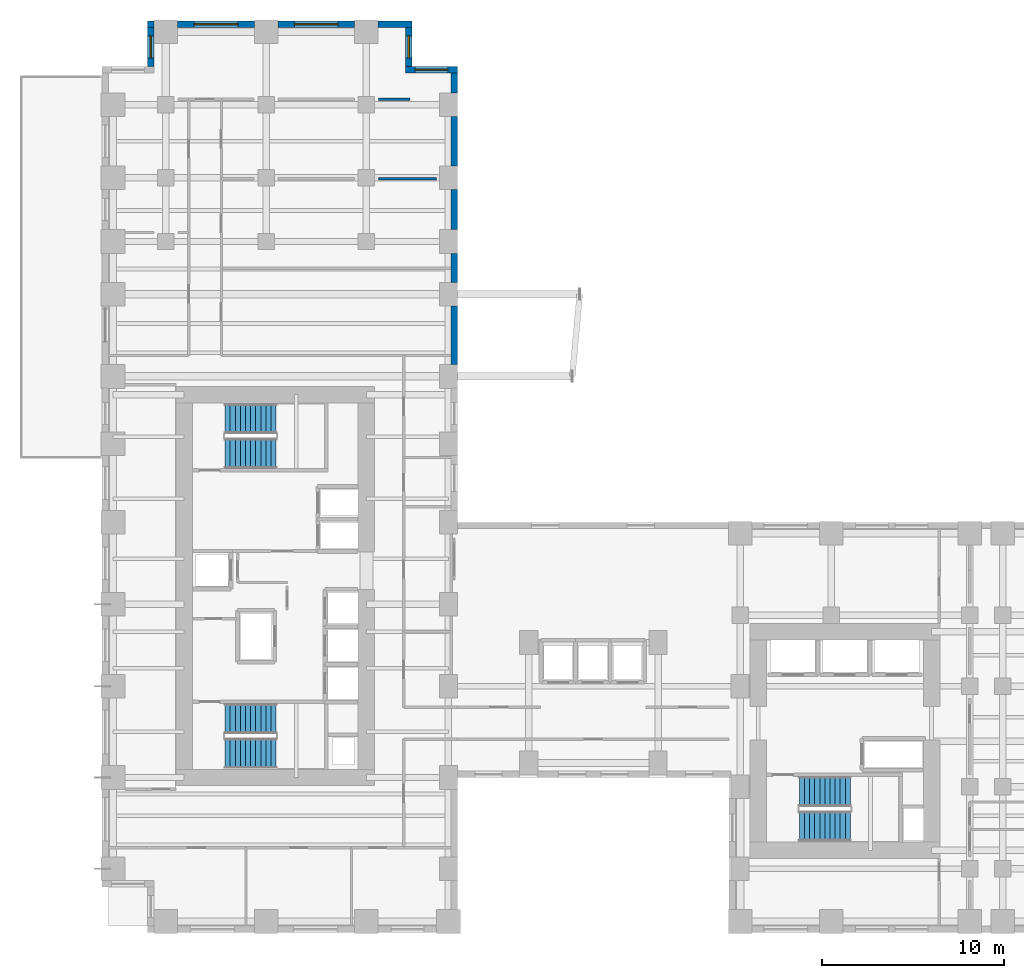
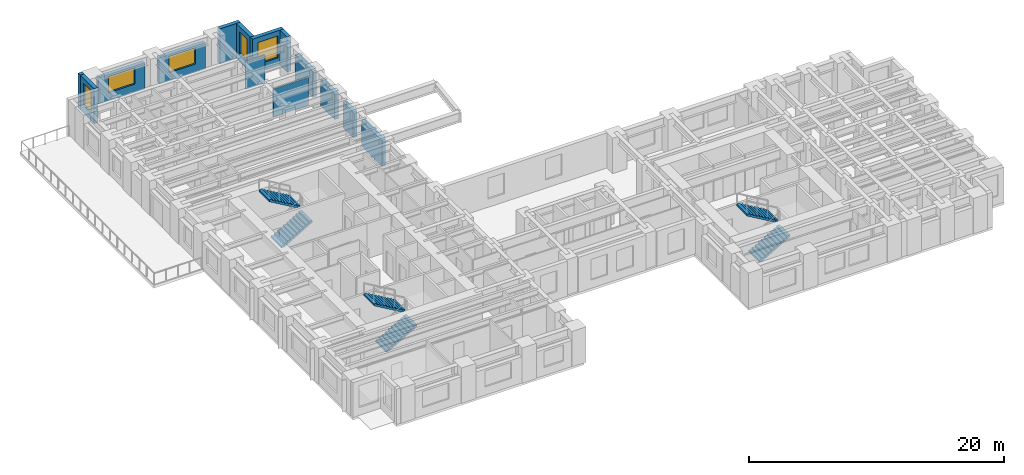
# One storey, part 12 of 15: 14 walls, 6 stair flights, 5 windows, 5 openings, 3 elements without a shape of their own.
"""IFC4 building model written with IfcOpenShell, lengths in metres."""

from ifc_helpers import new_model, si_unit, direction, frame, frame_2d, origin, place, context, subcontext, project, spatial, polyline, rectangle, outline, extrude, source, transform, mapped, material, layer, layer_set, type_object, element, fill, aggregate, save


model = new_model("IFC4")

# Units and contexts
model_context = context("Model", 3, precision=1e-05, world=origin(), true_north=direction((0.0, 1.0)))
body_context = subcontext(model_context, "Body", "Model", "MODEL_VIEW")
ifc_project = project(units=[si_unit("LENGTHUNIT", "METRE"), si_unit("AREAUNIT", "SQUARE_METRE"), si_unit("VOLUMEUNIT", "CUBIC_METRE"), si_unit("PLANEANGLEUNIT", "RADIAN"), si_unit("MASSUNIT", "GRAM", prefix="KILO")], contexts=[model_context])

# Site, building, storey
site_placement = place(None, origin())
site = spatial("IfcSite", under=ifc_project, at=site_placement, CompositionType="ELEMENT")
building_placement = place(site_placement, origin())
building = spatial("IfcBuilding", under=site, at=building_placement, Name="Kharzan Plaza Tower", CompositionType="ELEMENT")
storey_placement = place(building_placement, frame((0.0, 0.0, 22.5)))
storey = spatial("IfcBuildingStorey", under=building, at=storey_placement, Name="L05", CompositionType="ELEMENT", Elevation=22.5)

# Wall, opening, window
ifc_material_1 = material(Name="Concrete C40/50", Category="concrete")
ifc_layer_1 = layer(ifc_material_1, 0.35009765625)
ifc_layer_set_1 = layer_set([ifc_layer_1], Name="Concrete C40/50")
wall_type_1 = type_object("IfcWallType", Name="WL-EXT-MAS-Z1", PredefinedType="SOLIDWALL", material=ifc_layer_set_1)
wall_1_placement = place(storey_placement, frame((19.5, 47.324951171875, 0.0), z_axis=(0.0, 0.0, 1.0), x_axis=(-1.0, 0.0, 0.0)))
wall_1 = element("IfcWall", 1, at=wall_1_placement, inside=storey, type_object=wall_type_1, Name="L05 Masonry-Frame Exterior Wall 01", PredefinedType="SOLIDWALL", context=body_context, shape_type="SweptSolid", body=[
    extrude(rectangle(XDim=2.85009765625, YDim=0.35009765625, at=frame_2d((1.425048828125, 0.0))), origin(), (0.0, 0.0, 1.0), 3.364990234375),
])
opening_1_placement = place(wall_1_placement, frame((0.52490234375, 0.0, 0.780029296875)))
opening_1 = element("IfcOpeningElement", 2, at=opening_1_placement, cuts=wall_1, Name="Opening W1", PredefinedType="OPENING", context=body_context, shape_type="SweptSolid", body=[
    extrude(rectangle(XDim=1.800048828125, YDim=2.10009765625, at=frame_2d((0.89990234375, 1.050048828125))), frame((0.0, 0.18505859375, 0.0), z_axis=(0.0, -1.0, 0.0), x_axis=(1.0, 0.0, 0.0)), (0.0, 0.0, 1.0), 0.3701171875),
])
ifc_material_2 = material(Name="Low-E Double Glazing", Category="glass")
window_type_1 = type_object("IfcWindowType", Name="WN-REC-1800x2100", PartitioningType="SINGLE_PANEL", PredefinedType="WINDOW", material=ifc_material_2)
shared_shape_1 = source(origin(), body_context, "Body", "SweptSolid", [
    extrude(rectangle(XDim=1.800048828125, YDim=2.10009765625, at=frame_2d((0.89990234375, 1.050048828125))), frame((0.0, 0.030029296875, 0.0), z_axis=(0.0, -1.0, 0.0), x_axis=(1.0, 0.0, 0.0)), (0.0, 0.0, 1.0), 0.06005859375),
])
window_1_placement = place(opening_1_placement, origin())
window_1 = element("IfcWindow", 3, at=window_1_placement, inside=storey, type_object=window_type_1, Name="L05 Recessed Solar-Control Window 01-1", OverallHeight=2.10009765625, OverallWidth=1.800048828125, PartitioningType="SINGLE_PANEL", PredefinedType="WINDOW", context=body_context, shape_type="MappedRepresentation", body=[
    mapped(shared_shape_1, transform((0.0, 0.0, 0.0), x_axis=(1.0, 0.0, 0.0), y_axis=(0.0, 1.0, 0.0), z_axis=(0.0, 0.0, 1.0))),
])
fill(opening_1, window_1)

wall_2_placement = place(storey_placement, frame((16.824951171875, 47.498046875, 0.0), z_axis=(0.0, 0.0, 1.0), x_axis=(0.0, 1.0, 0.0)))
wall_2 = element("IfcWall", 4, at=wall_2_placement, inside=storey, type_object=wall_type_1, Name="L05 Masonry-Frame Exterior Wall 02", PredefinedType="SOLIDWALL", context=body_context, shape_type="SweptSolid", body=[
    extrude(rectangle(XDim=2.154052734375, YDim=0.35009765625, at=frame_2d((1.0771484375, 0.0))), origin(), (0.0, 0.0, 1.0), 3.364990234375),
])
opening_2_placement = place(wall_2_placement, frame((0.47705078125, 0.0, 0.780029296875)))
opening_2 = element("IfcOpeningElement", 5, at=opening_2_placement, cuts=wall_2, Name="Opening W3", PredefinedType="OPENING", context=body_context, shape_type="SweptSolid", body=[
    extrude(rectangle(XDim=1.199951171875, YDim=2.10009765625, at=frame_2d((0.60009765625, 1.050048828125))), frame((0.0, 0.18505859375, 0.0), z_axis=(0.0, -1.0, 0.0), x_axis=(1.0, 0.0, 0.0)), (0.0, 0.0, 1.0), 0.3701171875),
])
window_type_2 = type_object("IfcWindowType", Name="WN-REC-1200x2100", PartitioningType="SINGLE_PANEL", PredefinedType="WINDOW", material=ifc_material_2)
shared_shape_2 = source(origin(), body_context, "Body", "SweptSolid", [
    extrude(rectangle(XDim=1.199951171875, YDim=2.10009765625, at=frame_2d((0.60009765625, 1.050048828125))), frame((0.0, 0.030029296875, 0.0), z_axis=(0.0, -1.0, 0.0), x_axis=(1.0, 0.0, 0.0)), (0.0, 0.0, 1.0), 0.06005859375),
])
window_2_placement = place(opening_2_placement, origin())
window_2 = element("IfcWindow", 6, at=window_2_placement, inside=storey, type_object=window_type_2, Name="L05 Recessed Solar-Control Window 02-1", OverallHeight=2.10009765625, OverallWidth=1.199951171875, PartitioningType="SINGLE_PANEL", PredefinedType="WINDOW", context=body_context, shape_type="MappedRepresentation", body=[
    mapped(shared_shape_2, transform((0.0, 0.0, 0.0), x_axis=(1.0, 0.0, 0.0), y_axis=(0.0, 1.0, 0.0), z_axis=(0.0, 0.0, 1.0))),
])
fill(opening_2, window_2)

wall_3_placement = place(storey_placement, frame((13.85205078125, 49.824951171875, 0.0), z_axis=(0.0, 0.0, 1.0), x_axis=(-1.0, 0.0, 0.0)))
wall_3 = element("IfcWall", 7, at=wall_3_placement, inside=storey, type_object=wall_type_1, Name="L05 Masonry-Frame Exterior Wall 04", PredefinedType="SOLIDWALL", context=body_context, shape_type="SweptSolid", body=[
    extrude(rectangle(XDim=4.2041015625, YDim=0.35009765625, at=frame_2d((2.10205078125, 0.0))), origin(), (0.0, 0.0, 1.0), 2.510009765625),
])
opening_3_placement = place(wall_3_placement, frame((0.902099609375, 0.0, 0.780029296875)))
opening_3 = element("IfcOpeningElement", 8, at=opening_3_placement, cuts=wall_3, Name="Opening W2", PredefinedType="OPENING", context=body_context, shape_type="SweptSolid", body=[
    extrude(rectangle(XDim=2.39990234375, YDim=1.550048828125, at=frame_2d((1.199951171875, 0.77490234375))), frame((0.0, 0.18505859375, 0.0), z_axis=(0.0, -1.0, 0.0), x_axis=(1.0, 0.0, 0.0)), (0.0, 0.0, 1.0), 0.3701171875),
])
window_type_3 = type_object("IfcWindowType", Name="WN-REC-2400x2100", PartitioningType="SINGLE_PANEL", PredefinedType="WINDOW", material=ifc_material_2)
shared_shape_3 = source(origin(), body_context, "Body", "SweptSolid", [
    extrude(rectangle(XDim=2.39990234375, YDim=1.550048828125, at=frame_2d((1.199951171875, 0.77490234375))), frame((0.0, 0.030029296875, 0.0), z_axis=(0.0, -1.0, 0.0), x_axis=(1.0, 0.0, 0.0)), (0.0, 0.0, 1.0), 0.06005859375),
])
window_3_placement = place(opening_3_placement, origin())
window_3 = element("IfcWindow", 9, at=window_3_placement, inside=storey, type_object=window_type_3, Name="L05 Wide Recessed Solar-Control Window 04-1", OverallHeight=1.550048828125, OverallWidth=2.39990234375, PartitioningType="SINGLE_PANEL", PredefinedType="WINDOW", context=body_context, shape_type="MappedRepresentation", body=[
    mapped(shared_shape_3, transform((0.0, 0.0, 0.0), x_axis=(1.0, 0.0, 0.0), y_axis=(0.0, 1.0, 0.0), z_axis=(0.0, 0.0, 1.0))),
])
fill(opening_3, window_3)

wall_4_placement = place(storey_placement, frame((8.35205078125, 49.824951171875, 0.0), z_axis=(0.0, 0.0, 1.0), x_axis=(-1.0, 0.0, 0.0)))
wall_4 = element("IfcWall", 10, at=wall_4_placement, inside=storey, type_object=wall_type_1, Name="L05 Masonry-Frame Exterior Wall 05", PredefinedType="SOLIDWALL", context=body_context, shape_type="SweptSolid", body=[
    extrude(rectangle(XDim=4.2041015625, YDim=0.35009765625, at=frame_2d((2.10205078125, 0.0))), origin(), (0.0, 0.0, 1.0), 2.510009765625),
])
opening_4_placement = place(wall_4_placement, frame((0.902099609375, 0.0, 0.780029296875)))
opening_4 = element("IfcOpeningElement", 11, at=opening_4_placement, cuts=wall_4, Name="Opening W2", PredefinedType="OPENING", context=body_context, shape_type="SweptSolid", body=[
    extrude(rectangle(XDim=2.39990234375, YDim=1.550048828125, at=frame_2d((1.199951171875, 0.77490234375))), frame((0.0, 0.18505859375, 0.0), z_axis=(0.0, -1.0, 0.0), x_axis=(1.0, 0.0, 0.0)), (0.0, 0.0, 1.0), 0.3701171875),
])
window_4_placement = place(opening_4_placement, origin())
window_4 = element("IfcWindow", 12, at=window_4_placement, inside=storey, type_object=window_type_3, Name="L05 Wide Recessed Solar-Control Window 05-1", OverallHeight=1.550048828125, OverallWidth=2.39990234375, PartitioningType="SINGLE_PANEL", PredefinedType="WINDOW", context=body_context, shape_type="MappedRepresentation", body=[
    mapped(shared_shape_3, transform((0.0, 0.0, 0.0), x_axis=(1.0, 0.0, 0.0), y_axis=(0.0, 1.0, 0.0), z_axis=(0.0, 0.0, 1.0))),
])
fill(opening_4, window_4)

wall_5_placement = place(storey_placement, frame((2.675048828125, 49.652099609375, 0.0), z_axis=(0.0, 0.0, 1.0), x_axis=(0.0, -1.0, 0.0)))
wall_5 = element("IfcWall", 13, at=wall_5_placement, inside=storey, type_object=wall_type_1, Name="L05 Masonry-Frame Exterior Wall 07", PredefinedType="SOLIDWALL", context=body_context, shape_type="SweptSolid", body=[
    extrude(rectangle(XDim=2.154052734375, YDim=0.35009765625, at=frame_2d((1.0771484375, 0.0))), origin(), (0.0, 0.0, 1.0), 3.364990234375),
])
opening_5_placement = place(wall_5_placement, frame((0.47705078125, 0.0, 0.780029296875)))
opening_5 = element("IfcOpeningElement", 14, at=opening_5_placement, cuts=wall_5, Name="Opening W3", PredefinedType="OPENING", context=body_context, shape_type="SweptSolid", body=[
    extrude(rectangle(XDim=1.199951171875, YDim=2.10009765625, at=frame_2d((0.60009765625, 1.050048828125))), frame((0.0, 0.18505859375, 0.0), z_axis=(0.0, -1.0, 0.0), x_axis=(1.0, 0.0, 0.0)), (0.0, 0.0, 1.0), 0.3701171875),
])
window_5_placement = place(opening_5_placement, origin())
window_5 = element("IfcWindow", 15, at=window_5_placement, inside=storey, type_object=window_type_2, Name="L05 Recessed Solar-Control Window 07-1", OverallHeight=2.10009765625, OverallWidth=1.199951171875, PartitioningType="SINGLE_PANEL", PredefinedType="WINDOW", context=body_context, shape_type="MappedRepresentation", body=[
    mapped(shared_shape_2, transform((0.0, 0.0, 0.0), x_axis=(1.0, 0.0, 0.0), y_axis=(0.0, 1.0, 0.0), z_axis=(0.0, 0.0, 1.0))),
])
fill(opening_5, window_5)

# Walls
shared_shape_4 = source(origin(), body_context, "Body", "SweptSolid", [
    extrude(rectangle(XDim=1.85205078125, YDim=0.35009765625, at=frame_2d((0.926025390625, 0.0))), origin(), (0.0, 0.0, 1.0), 3.364990234375),
])
wall_6_placement = place(storey_placement, frame((17.0, 49.824951171875, 0.0), z_axis=(0.0, 0.0, 1.0), x_axis=(-1.0, 0.0, 0.0)))
element("IfcWall", 16, at=wall_6_placement, inside=storey, type_object=wall_type_1, Name="L05 Masonry-Frame Exterior Wall 03", PredefinedType="SOLIDWALL", context=body_context, shape_type="MappedRepresentation", body=[
    mapped(shared_shape_4, transform((0.0, 0.0, 0.0), x_axis=(1.0, 0.0, 0.0), y_axis=(0.0, 1.0, 0.0), z_axis=(0.0, 0.0, 1.0))),
])
shared_shape_5 = source(origin(), body_context, "Body", "SweptSolid", [
    extrude(rectangle(XDim=0.35205078125, YDim=0.35009765625, at=frame_2d((0.176025390625, 0.0))), origin(), (0.0, 0.0, 1.0), 3.364990234375),
])
wall_7_placement = place(storey_placement, frame((2.85205078125, 49.824951171875, 0.0), z_axis=(0.0, 0.0, 1.0), x_axis=(-1.0, 0.0, 0.0)))
element("IfcWall", 17, at=wall_7_placement, inside=storey, type_object=wall_type_1, Name="L05 Masonry-Frame Exterior Wall 06", PredefinedType="SOLIDWALL", context=body_context, shape_type="MappedRepresentation", body=[
    mapped(shared_shape_5, transform((0.0, 0.0, 0.0), x_axis=(1.0, 0.0, 0.0), y_axis=(0.0, 1.0, 0.0), z_axis=(0.0, 0.0, 1.0))),
])
shared_shape_6 = source(origin(), body_context, "Body", "SweptSolid", [
    extrude(rectangle(XDim=1.10400390625, YDim=0.35009765625, at=frame_2d((0.552001953125, 0.0))), origin(), (0.0, 0.0, 1.0), 3.364990234375),
])
wall_8_placement = place(storey_placement, frame((19.324951171875, 46.048095703125, 0.0), z_axis=(0.0, 0.0, 1.0), x_axis=(0.0, 1.0, 0.0)))
element("IfcWall", 18, at=wall_8_placement, inside=storey, type_object=wall_type_1, Name="L05 Masonry-Frame Exterior Wall 60", PredefinedType="SOLIDWALL", context=body_context, shape_type="MappedRepresentation", body=[
    mapped(shared_shape_6, transform((0.0, 0.0, 0.0), x_axis=(1.0, 0.0, 0.0), y_axis=(0.0, 1.0, 0.0), z_axis=(0.0, 0.0, 1.0))),
])
shared_shape_7 = source(origin(), body_context, "Body", "SweptSolid", [
    extrude(rectangle(XDim=1.60400390625, YDim=0.35009765625, at=frame_2d((0.802001953125, 0.0))), origin(), (0.0, 0.0, 1.0), 2.510009765625),
])
wall_9_placement = place(storey_placement, frame((19.324951171875, 35.64794921875, 0.0), z_axis=(0.0, 0.0, 1.0), x_axis=(0.0, 1.0, 0.0)))
element("IfcWall", 19, at=wall_9_placement, inside=storey, type_object=wall_type_1, Name="L05 Masonry-Frame Exterior Wall 57", PredefinedType="SOLIDWALL", context=body_context, shape_type="MappedRepresentation", body=[
    mapped(shared_shape_7, transform((0.0, 0.0, 0.0), x_axis=(1.0, 0.0, 0.0), y_axis=(0.0, 1.0, 0.0), z_axis=(0.0, 0.0, 1.0))),
])
shared_shape_8 = source(origin(), body_context, "Body", "SweptSolid", [
    extrude(rectangle(XDim=3.2041015625, YDim=0.35009765625, at=frame_2d((1.60205078125, 0.0))), origin(), (0.0, 0.0, 1.0), 2.510009765625),
])
wall_10_placement = place(storey_placement, frame((19.324951171875, 31.14794921875, 0.0), z_axis=(0.0, 0.0, 1.0), x_axis=(0.0, 1.0, 0.0)))
element("IfcWall", 20, at=wall_10_placement, inside=storey, type_object=wall_type_1, Name="L05 Masonry-Frame Exterior Wall 56", PredefinedType="SOLIDWALL", context=body_context, shape_type="MappedRepresentation", body=[
    mapped(shared_shape_8, transform((0.0, 0.0, 0.0), x_axis=(1.0, 0.0, 0.0), y_axis=(0.0, 1.0, 0.0), z_axis=(0.0, 0.0, 1.0))),
])
shared_shape_9 = source(origin(), body_context, "Body", "SweptSolid", [
    extrude(rectangle(XDim=2.203857421875, YDim=0.35009765625, at=frame_2d((1.10205078125, 0.0))), origin(), (0.0, 0.0, 1.0), 2.510009765625),
])
wall_11_placement = place(storey_placement, frame((19.324951171875, 38.548095703125, 0.0), z_axis=(0.0, 0.0, 1.0), x_axis=(0.0, 1.0, 0.0)))
element("IfcWall", 21, at=wall_11_placement, inside=storey, type_object=wall_type_1, Name="L05 Masonry-Frame Exterior Wall 58", PredefinedType="SOLIDWALL", context=body_context, shape_type="MappedRepresentation", body=[
    mapped(shared_shape_9, transform((0.0, 0.0, 0.0), x_axis=(1.0, 0.0, 0.0), y_axis=(0.0, 1.0, 0.0), z_axis=(0.0, 0.0, 1.0))),
])
shared_shape_10 = source(origin(), body_context, "Body", "SweptSolid", [
    extrude(rectangle(XDim=2.703857421875, YDim=0.35009765625, at=frame_2d((1.35205078125, 0.0))), origin(), (0.0, 0.0, 1.0), 2.510009765625),
])
wall_12_placement = place(storey_placement, frame((19.324951171875, 42.048095703125, 0.0), z_axis=(0.0, 0.0, 1.0), x_axis=(0.0, 1.0, 0.0)))
element("IfcWall", 22, at=wall_12_placement, inside=storey, type_object=wall_type_1, Name="L05 Masonry-Frame Exterior Wall 59", PredefinedType="SOLIDWALL", context=body_context, shape_type="MappedRepresentation", body=[
    mapped(shared_shape_10, transform((0.0, 0.0, 0.0), x_axis=(1.0, 0.0, 0.0), y_axis=(0.0, 1.0, 0.0), z_axis=(0.0, 0.0, 1.0))),
])
ifc_material_3 = material(Name="Fire-Rated Gypsum Board Partition", Category="gypsum")
ifc_layer_2 = layer(ifc_material_3, 0.125)
ifc_layer_set_2 = layer_set([ifc_layer_2], Name="Fire-Rated Gypsum Board Partition")
wall_type_2 = type_object("IfcWallType", Name="WL-INT-PART-125", PredefinedType="PARTITIONING", material=ifc_layer_set_2)
shared_shape_11 = source(origin(), body_context, "Body", "SweptSolid", [
    extrude(rectangle(XDim=3.18017578125, YDim=0.125, at=frame_2d((1.590087890625, 0.0))), origin(), (0.0, 0.0, 1.0), 2.669921875),
])
wall_13_placement = place(storey_placement, frame((15.159912109375, 41.343994140625, 0.0), z_axis=(0.0, 0.0, 1.0), x_axis=(1.0, 0.0, 0.0)))
element("IfcWall", 23, at=wall_13_placement, inside=storey, type_object=wall_type_2, Name="L05 Interior Partition SH-NEH-2-S3", PredefinedType="PARTITIONING", context=body_context, shape_type="MappedRepresentation", body=[
    mapped(shared_shape_11, transform((0.0, 0.0, 0.0), x_axis=(1.0, 0.0, 0.0), y_axis=(0.0, 1.0, 0.0), z_axis=(0.0, 0.0, 1.0))),
])
shared_shape_12 = source(origin(), body_context, "Body", "SweptSolid", [
    extrude(rectangle(XDim=1.739990234375, YDim=0.125, at=frame_2d((0.8701171875, 0.0))), origin(), (0.0, 0.0, 1.0), 2.669921875),
])
wall_14_placement = place(storey_placement, frame((15.159912109375, 45.699951171875, 0.0), z_axis=(0.0, 0.0, 1.0), x_axis=(1.0, 0.0, 0.0)))
element("IfcWall", 24, at=wall_14_placement, inside=storey, type_object=wall_type_2, Name="L05 Interior Partition SH-SPHE-S3", PredefinedType="PARTITIONING", context=body_context, shape_type="MappedRepresentation", body=[
    mapped(shared_shape_12, transform((0.0, 0.0, 0.0), x_axis=(1.0, 0.0, 0.0), y_axis=(0.0, 1.0, 0.0), z_axis=(0.0, 0.0, 1.0))),
])

# Stair, stair flights
stair_type_1 = type_object("IfcStairType", Name="STR-ST-1", PredefinedType="HALF_TURN_STAIR", material=ifc_material_1)
stair_1_placement = place(storey_placement, origin())
stair_1 = element("IfcStair", 25, at=stair_1_placement, inside=storey, type_object=stair_type_1, Name="L05 Protected Exit Stair ST-1", PredefinedType="HALF_TURN_STAIR")
stair_flight_type = type_object("IfcStairFlightType", Name="SFL-1650-R173", PredefinedType="STRAIGHT", material=ifc_material_1)
shared_shape_13 = source(origin(), body_context, "Body", "SweptSolid", [
    extrude(outline(polyline([(-0.0029296875, -0.011962890625), (-0.0029296875, 0.0), (0.0, 0.0), (0.0, 0.16357421875), (0.280029296875, 0.16357421875), (0.280029296875, 0.3271484375), (0.56005859375, 0.3271484375), (0.56005859375, 0.49072265625), (0.840087890625, 0.49072265625), (0.840087890625, 0.654296875), (1.1201171875, 0.654296875), (1.1201171875, 0.81787109375), (1.400146484375, 0.81787109375), (1.400146484375, 0.9814453125), (1.68017578125, 0.9814453125), (1.68017578125, 1.14501953125), (1.960205078125, 1.14501953125), (1.960205078125, 1.30859375), (2.240234375, 1.30859375), (2.240234375, 1.47216796875), (2.520263671875, 1.47216796875), (2.520263671875, 1.6357421875), (2.80029296875, 1.6357421875), (2.80029296875, 1.79931640625), (2.80029296875, 1.462158203125), (0.297119140625, 0.0), (0.297119140625, -0.011962890625), (-0.0029296875, -0.011962890625)])), frame((0.0, 0.824951171875, 0.0), z_axis=(0.0, -1.0, 0.0), x_axis=(1.0, 0.0, 0.0)), (0.0, 0.0, 1.0), 1.64990234375),
])
stair_flight_1_placement = place(storey_placement, frame((6.75, 9.824951171875, 0.0), z_axis=(0.0, 0.0, 1.0), x_axis=(1.0, 0.0, 0.0)))
stair_flight_1 = element("IfcStairFlight", 26, at=stair_flight_1_placement, type_object=stair_flight_type, Name="ST-1 flight 1", NumberOfRisers=11, NumberOfTreads=10, PredefinedType="STRAIGHT", RiserHeight=0.163636364, TreadLength=0.28, context=body_context, shape_type="MappedRepresentation", body=[
    mapped(shared_shape_13, transform((0.0, 0.0, 0.0), x_axis=(1.0, 0.0, 0.0), y_axis=(0.0, 1.0, 0.0), z_axis=(0.0, 0.0, 1.0))),
])
stair_flight_2_placement = place(storey_placement, frame((9.550048828125, 11.72509765625, 1.800048828125), z_axis=(0.0, 0.0, 1.0), x_axis=(-1.0, 0.0, 0.0)))
stair_flight_2 = element("IfcStairFlight", 27, at=stair_flight_2_placement, type_object=stair_flight_type, Name="ST-1 flight 2", NumberOfRisers=11, NumberOfTreads=10, PredefinedType="STRAIGHT", RiserHeight=0.163636364, TreadLength=0.28, context=body_context, shape_type="MappedRepresentation", body=[
    mapped(shared_shape_13, transform((0.0, 0.0, 0.0), x_axis=(1.0, 0.0, 0.0), y_axis=(0.0, 1.0, 0.0), z_axis=(0.0, 0.0, 1.0))),
])
aggregate(stair_1, [stair_flight_1, stair_flight_2])

stair_type_2 = type_object("IfcStairType", Name="STR-ST-2", PredefinedType="HALF_TURN_STAIR", material=ifc_material_1)
stair_2_placement = place(storey_placement, origin())
stair_2 = element("IfcStair", 28, at=stair_2_placement, inside=storey, type_object=stair_type_2, Name="L05 Protected Exit Stair ST-2", PredefinedType="HALF_TURN_STAIR")
stair_flight_3_placement = place(storey_placement, frame((6.75, 26.27490234375, 0.0), z_axis=(0.0, 0.0, 1.0), x_axis=(1.0, 0.0, 0.0)))
stair_flight_3 = element("IfcStairFlight", 29, at=stair_flight_3_placement, type_object=stair_flight_type, Name="ST-2 flight 1", NumberOfRisers=11, NumberOfTreads=10, PredefinedType="STRAIGHT", RiserHeight=0.163636364, TreadLength=0.28, context=body_context, shape_type="MappedRepresentation", body=[
    mapped(shared_shape_13, transform((0.0, 0.0, 0.0), x_axis=(1.0, 0.0, 0.0), y_axis=(0.0, 1.0, 0.0), z_axis=(0.0, 0.0, 1.0))),
])
stair_flight_4_placement = place(storey_placement, frame((9.550048828125, 28.175048828125, 1.800048828125), z_axis=(0.0, 0.0, 1.0), x_axis=(-1.0, 0.0, 0.0)))
stair_flight_4 = element("IfcStairFlight", 30, at=stair_flight_4_placement, type_object=stair_flight_type, Name="ST-2 flight 2", NumberOfRisers=11, NumberOfTreads=10, PredefinedType="STRAIGHT", RiserHeight=0.163636364, TreadLength=0.28, context=body_context, shape_type="MappedRepresentation", body=[
    mapped(shared_shape_13, transform((0.0, 0.0, 0.0), x_axis=(1.0, 0.0, 0.0), y_axis=(0.0, 1.0, 0.0), z_axis=(0.0, 0.0, 1.0))),
])
aggregate(stair_2, [stair_flight_3, stair_flight_4])

stair_type_3 = type_object("IfcStairType", Name="STR-ST-3", PredefinedType="HALF_TURN_STAIR", material=ifc_material_1)
stair_3_placement = place(storey_placement, origin())
stair_3 = element("IfcStair", 31, at=stair_3_placement, inside=storey, type_object=stair_type_3, Name="L05 Protected Exit Stair ST-3", PredefinedType="HALF_TURN_STAIR")
stair_flight_5_placement = place(storey_placement, frame((38.25, 5.824951171875, 0.0), z_axis=(0.0, 0.0, 1.0), x_axis=(1.0, 0.0, 0.0)))
stair_flight_5 = element("IfcStairFlight", 32, at=stair_flight_5_placement, type_object=stair_flight_type, Name="ST-3 flight 1", NumberOfRisers=11, NumberOfTreads=10, PredefinedType="STRAIGHT", RiserHeight=0.163636364, TreadLength=0.28, context=body_context, shape_type="MappedRepresentation", body=[
    mapped(shared_shape_13, transform((0.0, 0.0, 0.0), x_axis=(1.0, 0.0, 0.0), y_axis=(0.0, 1.0, 0.0), z_axis=(0.0, 0.0, 1.0))),
])
stair_flight_6_placement = place(storey_placement, frame((41.050048828125, 7.72509765625, 1.800048828125), z_axis=(0.0, 0.0, 1.0), x_axis=(-1.0, 0.0, 0.0)))
stair_flight_6 = element("IfcStairFlight", 33, at=stair_flight_6_placement, type_object=stair_flight_type, Name="ST-3 flight 2", NumberOfRisers=11, NumberOfTreads=10, PredefinedType="STRAIGHT", RiserHeight=0.163636364, TreadLength=0.28, context=body_context, shape_type="MappedRepresentation", body=[
    mapped(shared_shape_13, transform((0.0, 0.0, 0.0), x_axis=(1.0, 0.0, 0.0), y_axis=(0.0, 1.0, 0.0), z_axis=(0.0, 0.0, 1.0))),
])
aggregate(stair_3, [stair_flight_5, stair_flight_6])

save(model, "model.ifc")
